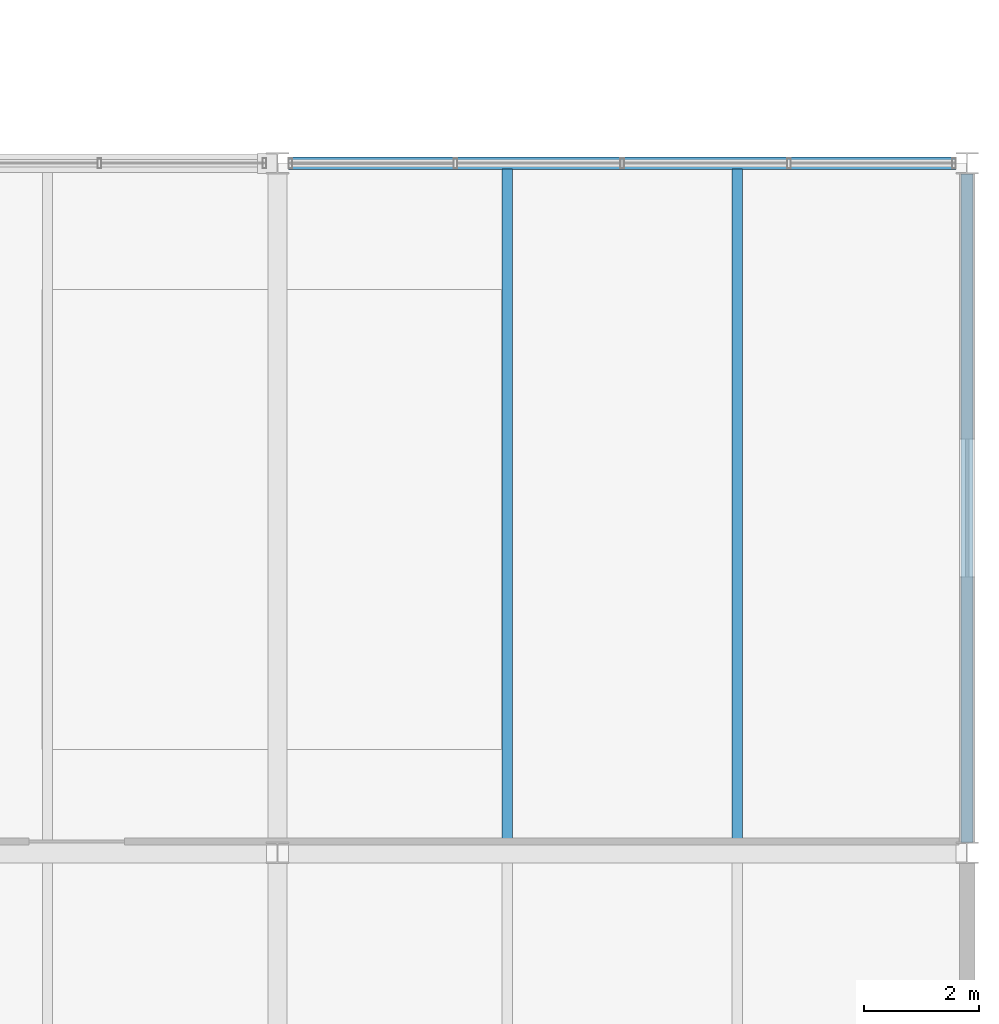
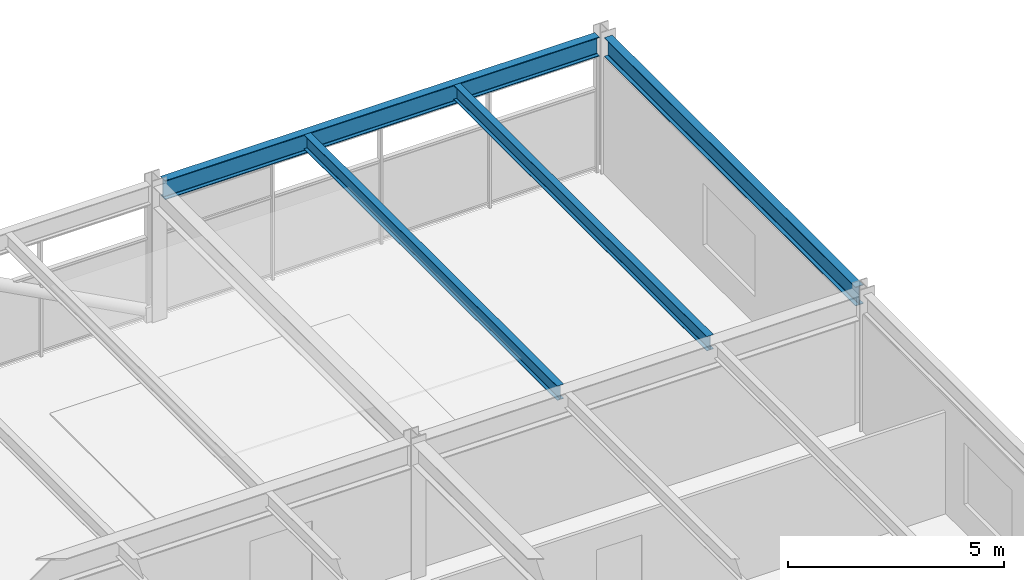
# One storey, part 37 of 49: 4 beams.
"""IFC4 building model written with IfcOpenShell, lengths in metres."""

from ifc_helpers import new_model, si_unit, direction, frame, origin, origin_2d, place, context, subcontext, project, spatial, i_section, extrude, material, material_profile, profile_set, type_object, element, save


model = new_model("IFC4")

# Units and contexts
model_context = context("Model", 3, precision=1e-05, world=origin(), true_north=direction((0.0, 1.0)))
body_context = subcontext(model_context, "Body", "Model", "MODEL_VIEW")
ifc_project = project(units=[si_unit("LENGTHUNIT", "METRE"), si_unit("AREAUNIT", "SQUARE_METRE"), si_unit("VOLUMEUNIT", "CUBIC_METRE"), si_unit("PLANEANGLEUNIT", "RADIAN"), si_unit("MASSUNIT", "GRAM", prefix="KILO")], contexts=[model_context])

# Site, building, storey
site_placement = place(None, origin())
site = spatial("IfcSite", under=ifc_project, at=site_placement, CompositionType="ELEMENT")
building_placement = place(site_placement, origin())
building = spatial("IfcBuilding", under=site, at=building_placement, Name="Girod Span Mobility Hub", CompositionType="ELEMENT")
storey_placement = place(building_placement, frame((0.0, 0.0, 37.60009765625)))
storey = spatial("IfcBuildingStorey", under=building, at=storey_placement, Name="L09", CompositionType="ELEMENT", Elevation=37.60009765625)

# Beams
ifc_material_1 = material(Name="Steel A992 Grade 50", Category="steel")
ifc_material_profile_1 = material_profile(ifc_material_1, i_section(OverallWidth=0.178955078125, OverallDepth=0.409912109375, WebThickness=0.0087890625, FlangeThickness=0.014404296875, FilletRadius=0.012939453125, at=origin_2d()), Name="W16X45")
ifc_profile_set_1 = profile_set([ifc_material_profile_1], Name="Steel A992 Grade 50")
beam_type_1 = type_object("IfcBeamType", Name="BM-STL-W16X45", PredefinedType="BEAM", material=ifc_profile_set_1)
for number, where, z_axis, x_axis, name in (
    (1, (136.0, 57.174560546875, 3.6298828125), (0.0, 1.0, 0.0), (-1.0, 0.0, 0.0), "Composite Floorbeam 12/E-1 L09"),
    (2, (140.0, 57.174560546875, 3.6298828125), (0.0, 1.0, 0.0), (-1.0, 0.0, 0.0), "Composite Floorbeam 12/E-2 L09"),
):
    element("IfcBeam", number, at=place(storey_placement, frame(where, z_axis=z_axis, x_axis=x_axis)), inside=storey, type_object=beam_type_1, Name=name, PredefinedType="BEAM", context=body_context, shape_type="SweptSolid", body=[
        extrude(i_section(OverallWidth=0.178955078125, OverallDepth=0.409912109375, WebThickness=0.0087890625, FlangeThickness=0.014404296875, FilletRadius=0.012939453125, at=origin_2d()), origin(), (0.0, 0.0, 1.0), 11.722412109375),
    ])
ifc_material_2 = material(Name="Steel A992 Grade 50", Category="steel")
ifc_material_profile_2 = material_profile(ifc_material_2, i_section(OverallWidth=0.2119140625, OverallDepth=0.5439453125, WebThickness=0.01318359375, FlangeThickness=0.021240234375, FilletRadius=0.014892578125, at=origin_2d()), Name="W21X83")
ifc_profile_set_2 = profile_set([ifc_material_profile_2], Name="Steel A992 Grade 50")
beam_type_2 = type_object("IfcBeamType", Name="BM-STL-W21X83", PredefinedType="SPANDREL", material=ifc_profile_set_2)
beam_1_placement = place(storey_placement, frame((132.194091796875, 69.0, 3.56298828125), z_axis=(1.0, 0.0, 0.0), x_axis=(0.0, 1.0, 0.0)))
element("IfcBeam", 3, at=beam_1_placement, inside=storey, type_object=beam_type_2, Name="Girder 12-13/F L09", PredefinedType="SPANDREL", context=body_context, shape_type="SweptSolid", body=[
    extrude(i_section(OverallWidth=0.2119140625, OverallDepth=0.5439453125, WebThickness=0.01318359375, FlangeThickness=0.021240234375, FilletRadius=0.014892578125, at=origin_2d()), origin(), (0.0, 0.0, 1.0), 11.61181640625),
])
beam_2_placement = place(storey_placement, frame((144.0, 57.1845703125, 3.56298828125), z_axis=(0.0, 1.0, 0.0), x_axis=(-1.0, 0.0, 0.0)))
element("IfcBeam", 4, at=beam_2_placement, inside=storey, type_object=beam_type_2, Name="Tie Girder 13/E-F L09", PredefinedType="SPANDREL", context=body_context, shape_type="SweptSolid", body=[
    extrude(i_section(OverallWidth=0.2119140625, OverallDepth=0.5439453125, WebThickness=0.01318359375, FlangeThickness=0.021240234375, FilletRadius=0.014892578125, at=origin_2d()), origin(), (0.0, 0.0, 1.0), 11.630859375),
])

save(model, "model.ifc")
